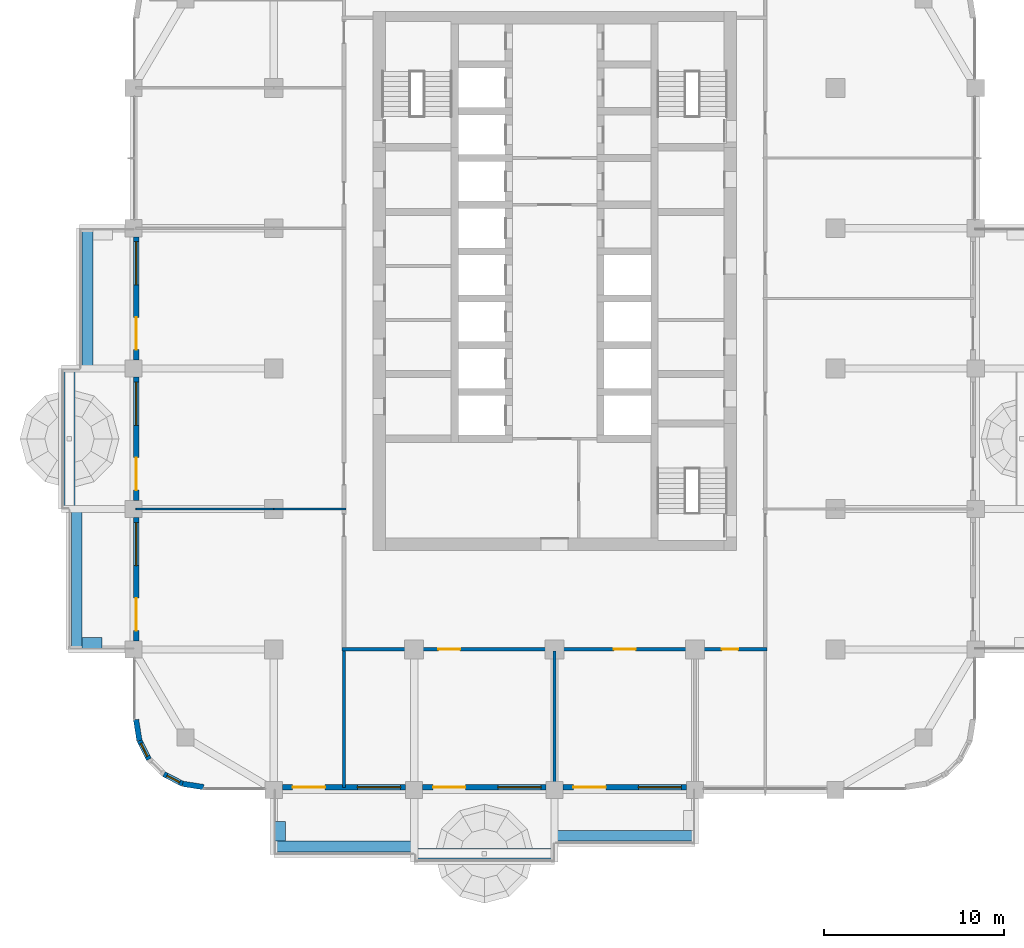
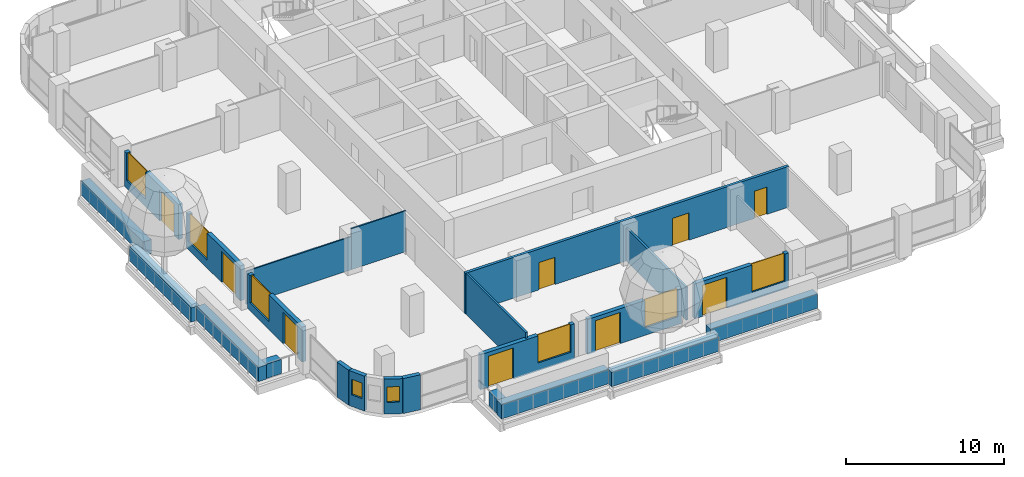
# One storey, part 10 of 21: 23 walls, 9 doors, 8 windows, 17 openings.
"""IFC4 building model written with IfcOpenShell, lengths in metres."""

from ifc_helpers import new_model, si_unit, direction, frame, frame_2d, origin, place, context, subcontext, project, spatial, rectangle, extrude, material, layer, layer_set, type_object, element, fill, save


model = new_model("IFC4")

# Units and contexts
model_context = context("Model", 3, precision=1e-05, world=origin(), true_north=direction((0.0, 1.0)))
body_context = subcontext(model_context, "Body", "Model", "MODEL_VIEW")
ifc_project = project(units=[si_unit("LENGTHUNIT", "METRE"), si_unit("AREAUNIT", "SQUARE_METRE"), si_unit("VOLUMEUNIT", "CUBIC_METRE"), si_unit("PLANEANGLEUNIT", "RADIAN"), si_unit("MASSUNIT", "GRAM", prefix="KILO")], contexts=[model_context])

# Site, building, storey
site_placement = place(None, origin())
site = spatial("IfcSite", under=ifc_project, at=site_placement, CompositionType="ELEMENT")
building_placement = place(site_placement, origin())
building = spatial("IfcBuilding", under=site, at=building_placement, Name="Ludao Terraces", CompositionType="ELEMENT")
storey_placement = place(building_placement, frame((0.0, 0.0, 71.60009765625)))
storey = spatial("IfcBuildingStorey", under=building, at=storey_placement, Name="L19", CompositionType="ELEMENT", Elevation=71.60009765625)

# Walls
ifc_material_1 = material(Name="Concrete C40", Category="concrete")
ifc_layer_1 = layer(ifc_material_1, 0.60009765625)
ifc_layer_set_1 = layer_set([ifc_layer_1], Name="ENV Planter trough 600")
wall_type_1 = type_object("IfcWallType", Name="ENV Planter trough 600", PredefinedType="USERDEFINED", material=ifc_layer_set_1)
wall_1_placement = place(storey_placement, frame((69.39990234375, 38.449951171875, 0.0), z_axis=(0.0, 0.0, 1.0), x_axis=(1.0, 0.0, 0.0)))
element("IfcWall", 1, at=wall_1_placement, inside=storey, type_object=wall_type_1, Name="PL-L19-S1", ObjectType="PLANTER", PredefinedType="USERDEFINED", context=body_context, shape_type="SweptSolid", body=[
    extrude(rectangle(XDim=7.800048828125, YDim=0.60009765625, at=frame_2d((3.89990234375, 0.0))), origin(), (0.0, 0.0, 1.0), 1.099853515625),
])
wall_2_placement = place(storey_placement, frame((69.75, 38.75, 0.0), z_axis=(0.0, 0.0, 1.0), x_axis=(0.0, 1.0, 0.0)))
element("IfcWall", 2, at=wall_2_placement, inside=storey, type_object=wall_type_1, Name="PL-L19-S1-SA", ObjectType="PLANTER", PredefinedType="USERDEFINED", context=body_context, shape_type="SweptSolid", body=[
    extrude(rectangle(XDim=1.10009765625, YDim=0.60009765625, at=frame_2d((0.550048828125, 0.0))), origin(), (0.0, 0.0, 1.0), 1.099853515625),
])
for number, where, z_axis, x_axis, name in (
    (3, (77.199951171875, 38.050048828125, 0.0), (0.0, 0.0, 1.0), (1.0, 0.0, 0.0), "PL-L19-S2"),
    (4, (85.0, 39.050048828125, 0.0), (0.0, 0.0, 1.0), (1.0, 0.0, 0.0), "PL-L19-S3"),
    (5, (58.449951171875, 49.39990234375, 0.0), (0.0, 0.0, 1.0), (0.0, 1.0, 0.0), "PL-L19-W1"),
):
    element("IfcWall", number, at=place(storey_placement, frame(where, z_axis=z_axis, x_axis=x_axis)), inside=storey, type_object=wall_type_1, Name=name, ObjectType="PLANTER", PredefinedType="USERDEFINED", context=body_context, shape_type="SweptSolid", body=[
        extrude(rectangle(XDim=7.800048828125, YDim=0.60009765625, at=frame_2d((3.89990234375, 0.0))), origin(), (0.0, 0.0, 1.0), 1.099853515625),
    ])
wall_3_placement = place(storey_placement, frame((58.75, 49.75, 0.0), z_axis=(0.0, 0.0, 1.0), x_axis=(1.0, 0.0, 0.0)))
element("IfcWall", 6, at=wall_3_placement, inside=storey, type_object=wall_type_1, Name="PL-L19-W1-SA", ObjectType="PLANTER", PredefinedType="USERDEFINED", context=body_context, shape_type="SweptSolid", body=[
    extrude(rectangle(XDim=1.10009765625, YDim=0.60009765625, at=frame_2d((0.550048828125, 0.0))), origin(), (0.0, 0.0, 1.0), 1.099853515625),
])
for number, where, z_axis, x_axis, name in (
    (7, (58.050048828125, 57.199951171875, 0.0), (0.0, 0.0, 1.0), (0.0, 1.0, 0.0), "PL-L19-W2"),
    (8, (59.050048828125, 65.0, 0.0), (0.0, 0.0, 1.0), (0.0, 1.0, 0.0), "PL-L19-W3"),
):
    element("IfcWall", number, at=place(storey_placement, frame(where, z_axis=z_axis, x_axis=x_axis)), inside=storey, type_object=wall_type_1, Name=name, ObjectType="PLANTER", PredefinedType="USERDEFINED", context=body_context, shape_type="SweptSolid", body=[
        extrude(rectangle(XDim=7.800048828125, YDim=0.60009765625, at=frame_2d((3.89990234375, 0.0))), origin(), (0.0, 0.0, 1.0), 1.099853515625),
    ])

# Wall, openings, door, window
ifc_material_2 = material(Name="Granite cladding", Category="masonry")
ifc_layer_2 = layer(ifc_material_2, 0.0400390625, Category="stone")
ifc_material_3 = material(Name="Mineral wool")
ifc_layer_3 = layer(ifc_material_3, 0.06005859375)
ifc_layer_4 = layer(ifc_material_1, 0.199951171875, Category="concrete")
ifc_layer_set_2 = layer_set([ifc_layer_2, ifc_layer_3, ifc_layer_4], Name="ENV Stone-clad wall 300")
wall_type_2 = type_object("IfcWallType", Name="ENV Stone-clad wall 300", PredefinedType="SOLIDWALL", material=ifc_layer_set_2)
wall_4_placement = place(storey_placement, frame((69.875, 41.75, 0.0), z_axis=(0.0, 0.0, 1.0), x_axis=(1.0, 0.0, 0.0)))
wall_4 = element("IfcWall", 9, at=wall_4_placement, inside=storey, type_object=wall_type_2, Name="EW-L19-S2", PredefinedType="SOLIDWALL", context=body_context, shape_type="SweptSolid", body=[
    extrude(rectangle(XDim=6.85009765625, YDim=0.300048828125, at=frame_2d((3.425048828125, 0.0))), origin(), (0.0, 0.0, 1.0), 2.699951171875),
])
opening_1_placement = place(wall_4_placement, frame((0.574951171875, 0.0, 0.0)))
opening_1 = element("IfcOpeningElement", 10, at=opening_1_placement, cuts=wall_4, Name="Opening BD", PredefinedType="OPENING", context=body_context, shape_type="SweptSolid", body=[
    extrude(rectangle(XDim=1.800048828125, YDim=2.39990234375, at=frame_2d((0.89990234375, 1.199951171875))), frame((0.0, 0.16015625, 0.0), z_axis=(0.0, -1.0, 0.0), x_axis=(1.0, 0.0, 0.0)), (0.0, 0.0, 1.0), 0.320068359375),
])
opening_2_placement = place(wall_4_placement, frame((4.175048828125, 0.0, 0.60009765625)))
opening_2 = element("IfcOpeningElement", 11, at=opening_2_placement, cuts=wall_4, Name="Opening W4", PredefinedType="OPENING", context=body_context, shape_type="SweptSolid", body=[
    extrude(rectangle(XDim=2.39990234375, YDim=2.10009765625, at=frame_2d((1.199951171875, 1.050048828125))), frame((0.0, 0.16015625, 0.0), z_axis=(0.0, -1.0, 0.0), x_axis=(1.0, 0.0, 0.0)), (0.0, 0.0, 1.0), 0.320068359375),
])
ifc_material_4 = material(Name="Aluminium glazed door", Category="aluminium")
ifc_layer_5 = layer(ifc_material_4, 0.06005859375)
ifc_layer_set_3 = layer_set([ifc_layer_5], Name="ENV Balcony door BD 1800x2400")
door_type_1 = type_object("IfcDoorType", Name="ENV Balcony door BD 1800x2400", OperationType="DOUBLE_DOOR_SINGLE_SWING", PredefinedType="DOOR", material=ifc_layer_set_3)
door_1_placement = place(opening_1_placement, origin())
door_1 = element("IfcDoor", 12, at=door_1_placement, inside=storey, type_object=door_type_1, Name="BD-L19-S2-1", OperationType="DOUBLE_DOOR_SINGLE_SWING", OverallHeight=2.39990234375, OverallWidth=1.800048828125, PredefinedType="DOOR", context=body_context, shape_type="SweptSolid", body=[
    extrude(rectangle(XDim=1.800048828125, YDim=2.39990234375, at=frame_2d((0.89990234375, 1.199951171875))), frame((0.0, 0.02490234375, 0.0), z_axis=(0.0, -1.0, 0.0), x_axis=(1.0, 0.0, 0.0)), (0.0, 0.0, 1.0), 0.050048828125),
])
fill(opening_1, door_1)
ifc_material_5 = material(Name="Clear glass in aluminium frame", Category="aluminium")
ifc_layer_6 = layer(ifc_material_5, 0.06005859375)
ifc_layer_set_4 = layer_set([ifc_layer_6], Name="ENV Window W4 2400x2100")
window_type_1 = type_object("IfcWindowType", Name="ENV Window W4 2400x2100", PartitioningType="SINGLE_PANEL", PredefinedType="WINDOW", material=ifc_layer_set_4)
window_1_placement = place(opening_2_placement, origin())
window_1 = element("IfcWindow", 13, at=window_1_placement, inside=storey, type_object=window_type_1, Name="W-L19-S2-2", OverallHeight=2.10009765625, OverallWidth=2.39990234375, PartitioningType="SINGLE_PANEL", PredefinedType="WINDOW", context=body_context, shape_type="SweptSolid", body=[
    extrude(rectangle(XDim=2.39990234375, YDim=2.10009765625, at=frame_2d((1.199951171875, 1.050048828125))), frame((0.0, 0.030029296875, 0.0), z_axis=(0.0, -1.0, 0.0), x_axis=(1.0, 0.0, 0.0)), (0.0, 0.0, 1.0), 0.06005859375),
])
fill(opening_2, window_1)

wall_5_placement = place(storey_placement, frame((77.675048828125, 41.75, 0.0), z_axis=(0.0, 0.0, 1.0), x_axis=(1.0, 0.0, 0.0)))
wall_5 = element("IfcWall", 14, at=wall_5_placement, inside=storey, type_object=wall_type_2, Name="EW-L19-S3", PredefinedType="SOLIDWALL", context=body_context, shape_type="SweptSolid", body=[
    extrude(rectangle(XDim=6.849853515625, YDim=0.300048828125, at=frame_2d((3.4248046875, 0.0))), origin(), (0.0, 0.0, 1.0), 2.699951171875),
])
opening_3_placement = place(wall_5_placement, frame((0.574951171875, 0.0, 0.0)))
opening_3 = element("IfcOpeningElement", 15, at=opening_3_placement, cuts=wall_5, Name="Opening BD", PredefinedType="OPENING", context=body_context, shape_type="SweptSolid", body=[
    extrude(rectangle(XDim=1.800048828125, YDim=2.39990234375, at=frame_2d((0.89990234375, 1.199951171875))), frame((0.0, 0.16015625, 0.0), z_axis=(0.0, -1.0, 0.0), x_axis=(1.0, 0.0, 0.0)), (0.0, 0.0, 1.0), 0.320068359375),
])
opening_4_placement = place(wall_5_placement, frame((4.175048828125, 0.0, 0.60009765625)))
opening_4 = element("IfcOpeningElement", 16, at=opening_4_placement, cuts=wall_5, Name="Opening W4", PredefinedType="OPENING", context=body_context, shape_type="SweptSolid", body=[
    extrude(rectangle(XDim=2.39990234375, YDim=2.10009765625, at=frame_2d((1.199951171875, 1.050048828125))), frame((0.0, 0.16015625, 0.0), z_axis=(0.0, -1.0, 0.0), x_axis=(1.0, 0.0, 0.0)), (0.0, 0.0, 1.0), 0.320068359375),
])
door_2_placement = place(opening_3_placement, origin())
door_2 = element("IfcDoor", 17, at=door_2_placement, inside=storey, type_object=door_type_1, Name="BD-L19-S3-1", OperationType="DOUBLE_DOOR_SINGLE_SWING", OverallHeight=2.39990234375, OverallWidth=1.800048828125, PredefinedType="DOOR", context=body_context, shape_type="SweptSolid", body=[
    extrude(rectangle(XDim=1.800048828125, YDim=2.39990234375, at=frame_2d((0.89990234375, 1.199951171875))), frame((0.0, 0.02490234375, 0.0), z_axis=(0.0, -1.0, 0.0), x_axis=(1.0, 0.0, 0.0)), (0.0, 0.0, 1.0), 0.050048828125),
])
fill(opening_3, door_2)
window_2_placement = place(opening_4_placement, origin())
window_2 = element("IfcWindow", 18, at=window_2_placement, inside=storey, type_object=window_type_1, Name="W-L19-S3-2", OverallHeight=2.10009765625, OverallWidth=2.39990234375, PartitioningType="SINGLE_PANEL", PredefinedType="WINDOW", context=body_context, shape_type="SweptSolid", body=[
    extrude(rectangle(XDim=2.39990234375, YDim=2.10009765625, at=frame_2d((1.199951171875, 1.050048828125))), frame((0.0, 0.030029296875, 0.0), z_axis=(0.0, -1.0, 0.0), x_axis=(1.0, 0.0, 0.0)), (0.0, 0.0, 1.0), 0.06005859375),
])
fill(opening_4, window_2)

wall_6_placement = place(storey_placement, frame((85.47509765625, 41.75, 0.0), z_axis=(0.0, 0.0, 1.0), x_axis=(1.0, 0.0, 0.0)))
wall_6 = element("IfcWall", 19, at=wall_6_placement, inside=storey, type_object=wall_type_2, Name="EW-L19-S4", PredefinedType="SOLIDWALL", context=body_context, shape_type="SweptSolid", body=[
    extrude(rectangle(XDim=6.849853515625, YDim=0.300048828125, at=frame_2d((3.4248046875, 0.0))), origin(), (0.0, 0.0, 1.0), 2.699951171875),
])
opening_5_placement = place(wall_6_placement, frame((0.574951171875, 0.0, 0.0)))
opening_5 = element("IfcOpeningElement", 20, at=opening_5_placement, cuts=wall_6, Name="Opening BD", PredefinedType="OPENING", context=body_context, shape_type="SweptSolid", body=[
    extrude(rectangle(XDim=1.800048828125, YDim=2.39990234375, at=frame_2d((0.89990234375, 1.199951171875))), frame((0.0, 0.16015625, 0.0), z_axis=(0.0, -1.0, 0.0), x_axis=(1.0, 0.0, 0.0)), (0.0, 0.0, 1.0), 0.320068359375),
])
opening_6_placement = place(wall_6_placement, frame((4.175048828125, 0.0, 0.60009765625)))
opening_6 = element("IfcOpeningElement", 21, at=opening_6_placement, cuts=wall_6, Name="Opening W4", PredefinedType="OPENING", context=body_context, shape_type="SweptSolid", body=[
    extrude(rectangle(XDim=2.39990234375, YDim=2.10009765625, at=frame_2d((1.199951171875, 1.050048828125))), frame((0.0, 0.16015625, 0.0), z_axis=(0.0, -1.0, 0.0), x_axis=(1.0, 0.0, 0.0)), (0.0, 0.0, 1.0), 0.320068359375),
])
door_3_placement = place(opening_5_placement, origin())
door_3 = element("IfcDoor", 22, at=door_3_placement, inside=storey, type_object=door_type_1, Name="BD-L19-S4-1", OperationType="DOUBLE_DOOR_SINGLE_SWING", OverallHeight=2.39990234375, OverallWidth=1.800048828125, PredefinedType="DOOR", context=body_context, shape_type="SweptSolid", body=[
    extrude(rectangle(XDim=1.800048828125, YDim=2.39990234375, at=frame_2d((0.89990234375, 1.199951171875))), frame((0.0, 0.02490234375, 0.0), z_axis=(0.0, -1.0, 0.0), x_axis=(1.0, 0.0, 0.0)), (0.0, 0.0, 1.0), 0.050048828125),
])
fill(opening_5, door_3)
window_3_placement = place(opening_6_placement, origin())
window_3 = element("IfcWindow", 23, at=window_3_placement, inside=storey, type_object=window_type_1, Name="W-L19-S4-2", OverallHeight=2.10009765625, OverallWidth=2.39990234375, PartitioningType="SINGLE_PANEL", PredefinedType="WINDOW", context=body_context, shape_type="SweptSolid", body=[
    extrude(rectangle(XDim=2.39990234375, YDim=2.10009765625, at=frame_2d((1.199951171875, 1.050048828125))), frame((0.0, 0.030029296875, 0.0), z_axis=(0.0, -1.0, 0.0), x_axis=(1.0, 0.0, 0.0)), (0.0, 0.0, 1.0), 0.06005859375),
])
fill(opening_6, window_3)

wall_7_placement = place(storey_placement, frame((61.75, 49.875, 0.0), z_axis=(0.0, 0.0, 1.0), x_axis=(0.0, 1.0, 0.0)))
wall_7 = element("IfcWall", 24, at=wall_7_placement, inside=storey, type_object=wall_type_2, Name="EW-L19-W2", PredefinedType="SOLIDWALL", context=body_context, shape_type="SweptSolid", body=[
    extrude(rectangle(XDim=6.85009765625, YDim=0.300048828125, at=frame_2d((3.425048828125, 0.0))), origin(), (0.0, 0.0, 1.0), 2.699951171875),
])
opening_7_placement = place(wall_7_placement, frame((0.574951171875, 0.0, 0.0)))
opening_7 = element("IfcOpeningElement", 25, at=opening_7_placement, cuts=wall_7, Name="Opening BD", PredefinedType="OPENING", context=body_context, shape_type="SweptSolid", body=[
    extrude(rectangle(XDim=1.800048828125, YDim=2.39990234375, at=frame_2d((0.89990234375, 1.199951171875))), frame((0.0, 0.16015625, 0.0), z_axis=(0.0, -1.0, 0.0), x_axis=(1.0, 0.0, 0.0)), (0.0, 0.0, 1.0), 0.320068359375),
])
opening_8_placement = place(wall_7_placement, frame((4.175048828125, 0.0, 0.60009765625)))
opening_8 = element("IfcOpeningElement", 26, at=opening_8_placement, cuts=wall_7, Name="Opening W4", PredefinedType="OPENING", context=body_context, shape_type="SweptSolid", body=[
    extrude(rectangle(XDim=2.39990234375, YDim=2.10009765625, at=frame_2d((1.199951171875, 1.050048828125))), frame((0.0, 0.16015625, 0.0), z_axis=(0.0, -1.0, 0.0), x_axis=(1.0, 0.0, 0.0)), (0.0, 0.0, 1.0), 0.320068359375),
])
door_4_placement = place(opening_7_placement, origin())
door_4 = element("IfcDoor", 27, at=door_4_placement, inside=storey, type_object=door_type_1, Name="BD-L19-W2-1", OperationType="DOUBLE_DOOR_SINGLE_SWING", OverallHeight=2.39990234375, OverallWidth=1.800048828125, PredefinedType="DOOR", context=body_context, shape_type="SweptSolid", body=[
    extrude(rectangle(XDim=1.800048828125, YDim=2.39990234375, at=frame_2d((0.89990234375, 1.199951171875))), frame((0.0, 0.02490234375, 0.0), z_axis=(0.0, -1.0, 0.0), x_axis=(1.0, 0.0, 0.0)), (0.0, 0.0, 1.0), 0.050048828125),
])
fill(opening_7, door_4)
window_4_placement = place(opening_8_placement, origin())
window_4 = element("IfcWindow", 28, at=window_4_placement, inside=storey, type_object=window_type_1, Name="W-L19-W2-2", OverallHeight=2.10009765625, OverallWidth=2.39990234375, PartitioningType="SINGLE_PANEL", PredefinedType="WINDOW", context=body_context, shape_type="SweptSolid", body=[
    extrude(rectangle(XDim=2.39990234375, YDim=2.10009765625, at=frame_2d((1.199951171875, 1.050048828125))), frame((0.0, 0.030029296875, 0.0), z_axis=(0.0, -1.0, 0.0), x_axis=(1.0, 0.0, 0.0)), (0.0, 0.0, 1.0), 0.06005859375),
])
fill(opening_8, window_4)

wall_8_placement = place(storey_placement, frame((61.75, 57.675048828125, 0.0), z_axis=(0.0, 0.0, 1.0), x_axis=(0.0, 1.0, 0.0)))
wall_8 = element("IfcWall", 29, at=wall_8_placement, inside=storey, type_object=wall_type_2, Name="EW-L19-W3", PredefinedType="SOLIDWALL", context=body_context, shape_type="SweptSolid", body=[
    extrude(rectangle(XDim=6.849853515625, YDim=0.300048828125, at=frame_2d((3.4248046875, 0.0))), origin(), (0.0, 0.0, 1.0), 2.699951171875),
])
opening_9_placement = place(wall_8_placement, frame((0.574951171875, 0.0, 0.0)))
opening_9 = element("IfcOpeningElement", 30, at=opening_9_placement, cuts=wall_8, Name="Opening BD", PredefinedType="OPENING", context=body_context, shape_type="SweptSolid", body=[
    extrude(rectangle(XDim=1.800048828125, YDim=2.39990234375, at=frame_2d((0.89990234375, 1.199951171875))), frame((0.0, 0.16015625, 0.0), z_axis=(0.0, -1.0, 0.0), x_axis=(1.0, 0.0, 0.0)), (0.0, 0.0, 1.0), 0.320068359375),
])
opening_10_placement = place(wall_8_placement, frame((4.175048828125, 0.0, 0.60009765625)))
opening_10 = element("IfcOpeningElement", 31, at=opening_10_placement, cuts=wall_8, Name="Opening W4", PredefinedType="OPENING", context=body_context, shape_type="SweptSolid", body=[
    extrude(rectangle(XDim=2.39990234375, YDim=2.10009765625, at=frame_2d((1.199951171875, 1.050048828125))), frame((0.0, 0.16015625, 0.0), z_axis=(0.0, -1.0, 0.0), x_axis=(1.0, 0.0, 0.0)), (0.0, 0.0, 1.0), 0.320068359375),
])
door_5_placement = place(opening_9_placement, origin())
door_5 = element("IfcDoor", 32, at=door_5_placement, inside=storey, type_object=door_type_1, Name="BD-L19-W3-1", OperationType="DOUBLE_DOOR_SINGLE_SWING", OverallHeight=2.39990234375, OverallWidth=1.800048828125, PredefinedType="DOOR", context=body_context, shape_type="SweptSolid", body=[
    extrude(rectangle(XDim=1.800048828125, YDim=2.39990234375, at=frame_2d((0.89990234375, 1.199951171875))), frame((0.0, 0.02490234375, 0.0), z_axis=(0.0, -1.0, 0.0), x_axis=(1.0, 0.0, 0.0)), (0.0, 0.0, 1.0), 0.050048828125),
])
fill(opening_9, door_5)
window_5_placement = place(opening_10_placement, origin())
window_5 = element("IfcWindow", 33, at=window_5_placement, inside=storey, type_object=window_type_1, Name="W-L19-W3-2", OverallHeight=2.10009765625, OverallWidth=2.39990234375, PartitioningType="SINGLE_PANEL", PredefinedType="WINDOW", context=body_context, shape_type="SweptSolid", body=[
    extrude(rectangle(XDim=2.39990234375, YDim=2.10009765625, at=frame_2d((1.199951171875, 1.050048828125))), frame((0.0, 0.030029296875, 0.0), z_axis=(0.0, -1.0, 0.0), x_axis=(1.0, 0.0, 0.0)), (0.0, 0.0, 1.0), 0.06005859375),
])
fill(opening_10, window_5)

wall_9_placement = place(storey_placement, frame((61.75, 65.47509765625, 0.0), z_axis=(0.0, 0.0, 1.0), x_axis=(0.0, 1.0, 0.0)))
wall_9 = element("IfcWall", 34, at=wall_9_placement, inside=storey, type_object=wall_type_2, Name="EW-L19-W4", PredefinedType="SOLIDWALL", context=body_context, shape_type="SweptSolid", body=[
    extrude(rectangle(XDim=6.849853515625, YDim=0.300048828125, at=frame_2d((3.4248046875, 0.0))), origin(), (0.0, 0.0, 1.0), 2.699951171875),
])
opening_11_placement = place(wall_9_placement, frame((0.574951171875, 0.0, 0.0)))
opening_11 = element("IfcOpeningElement", 35, at=opening_11_placement, cuts=wall_9, Name="Opening BD", PredefinedType="OPENING", context=body_context, shape_type="SweptSolid", body=[
    extrude(rectangle(XDim=1.800048828125, YDim=2.39990234375, at=frame_2d((0.89990234375, 1.199951171875))), frame((0.0, 0.16015625, 0.0), z_axis=(0.0, -1.0, 0.0), x_axis=(1.0, 0.0, 0.0)), (0.0, 0.0, 1.0), 0.320068359375),
])
opening_12_placement = place(wall_9_placement, frame((4.175048828125, 0.0, 0.60009765625)))
opening_12 = element("IfcOpeningElement", 36, at=opening_12_placement, cuts=wall_9, Name="Opening W4", PredefinedType="OPENING", context=body_context, shape_type="SweptSolid", body=[
    extrude(rectangle(XDim=2.39990234375, YDim=2.10009765625, at=frame_2d((1.199951171875, 1.050048828125))), frame((0.0, 0.16015625, 0.0), z_axis=(0.0, -1.0, 0.0), x_axis=(1.0, 0.0, 0.0)), (0.0, 0.0, 1.0), 0.320068359375),
])
door_6_placement = place(opening_11_placement, origin())
door_6 = element("IfcDoor", 37, at=door_6_placement, inside=storey, type_object=door_type_1, Name="BD-L19-W4-1", OperationType="DOUBLE_DOOR_SINGLE_SWING", OverallHeight=2.39990234375, OverallWidth=1.800048828125, PredefinedType="DOOR", context=body_context, shape_type="SweptSolid", body=[
    extrude(rectangle(XDim=1.800048828125, YDim=2.39990234375, at=frame_2d((0.89990234375, 1.199951171875))), frame((0.0, 0.02490234375, 0.0), z_axis=(0.0, -1.0, 0.0), x_axis=(1.0, 0.0, 0.0)), (0.0, 0.0, 1.0), 0.050048828125),
])
fill(opening_11, door_6)
window_6_placement = place(opening_12_placement, origin())
window_6 = element("IfcWindow", 38, at=window_6_placement, inside=storey, type_object=window_type_1, Name="W-L19-W4-2", OverallHeight=2.10009765625, OverallWidth=2.39990234375, PartitioningType="SINGLE_PANEL", PredefinedType="WINDOW", context=body_context, shape_type="SweptSolid", body=[
    extrude(rectangle(XDim=2.39990234375, YDim=2.10009765625, at=frame_2d((1.199951171875, 1.050048828125))), frame((0.0, 0.030029296875, 0.0), z_axis=(0.0, -1.0, 0.0), x_axis=(1.0, 0.0, 0.0)), (0.0, 0.0, 1.0), 0.06005859375),
])
fill(opening_12, window_6)

# Wall
wall_10_placement = place(storey_placement, frame((61.75, 45.5, 0.0), z_axis=(0.0, 0.0, 1.0), x_axis=(0.156496880861, -0.987678452879, 0.0)))
element("IfcWall", 39, at=wall_10_placement, inside=storey, type_object=wall_type_2, Name="EW-L19-SW1", PredefinedType="SOLIDWALL", context=body_context, shape_type="SweptSolid", body=[
    extrude(rectangle(XDim=1.173095703125, YDim=0.300048828125, at=frame_2d((0.58642578125, 0.0))), origin(), (0.0, 0.0, 1.0), 2.699951171875),
])

# Wall, opening, window
wall_11_placement = place(storey_placement, frame((61.93359375, 44.34130859375, 0.0), z_axis=(0.0, 0.0, 1.0), x_axis=(0.454025524128, -0.890988677504, 0.0)))
wall_11 = element("IfcWall", 40, at=wall_11_placement, inside=storey, type_object=wall_type_2, Name="EW-L19-SW2", PredefinedType="SOLIDWALL", context=body_context, shape_type="SweptSolid", body=[
    extrude(rectangle(XDim=1.17333984375, YDim=0.300048828125, at=frame_2d((0.586669921875, 0.0))), origin(), (0.0, 0.0, 1.0), 2.699951171875),
])
opening_13_placement = place(wall_11_placement, frame((0.1865234375, 0.0, 0.89990234375)))
opening_13 = element("IfcOpeningElement", 41, at=opening_13_placement, cuts=wall_11, Name="Opening W3", PredefinedType="OPENING", context=body_context, shape_type="SweptSolid", body=[
    extrude(rectangle(XDim=0.800048828125, YDim=1.199951171875, at=frame_2d((0.39990234375, 0.60009765625))), frame((0.0, 0.16015625, 0.0), z_axis=(0.0, -1.0, 0.0), x_axis=(1.0, 0.0, 0.0)), (0.0, 0.0, 1.0), 0.320068359375),
])
ifc_layer_7 = layer(ifc_material_5, 0.06005859375)
ifc_layer_set_5 = layer_set([ifc_layer_7], Name="ENV Window W3 800x1200")
window_type_2 = type_object("IfcWindowType", Name="ENV Window W3 800x1200", PartitioningType="SINGLE_PANEL", PredefinedType="WINDOW", material=ifc_layer_set_5)
window_7_placement = place(opening_13_placement, origin())
window_7 = element("IfcWindow", 42, at=window_7_placement, inside=storey, type_object=window_type_2, Name="W-L19-SW2", OverallHeight=1.199951171875, OverallWidth=0.800048828125, PartitioningType="SINGLE_PANEL", PredefinedType="WINDOW", context=body_context, shape_type="SweptSolid", body=[
    extrude(rectangle(XDim=0.800048828125, YDim=1.199951171875, at=frame_2d((0.39990234375, 0.60009765625))), frame((0.0, 0.030029296875, 0.0), z_axis=(0.0, -1.0, 0.0), x_axis=(1.0, 0.0, 0.0)), (0.0, 0.0, 1.0), 0.06005859375),
])
fill(opening_13, window_7)

wall_12_placement = place(storey_placement, frame((63.2958984375, 42.46630859375, 0.0), z_axis=(0.0, 0.0, 1.0), x_axis=(0.890988677504, -0.454025524128, 0.0)))
wall_12 = element("IfcWall", 43, at=wall_12_placement, inside=storey, type_object=wall_type_2, Name="EW-L19-SW4", PredefinedType="SOLIDWALL", context=body_context, shape_type="SweptSolid", body=[
    extrude(rectangle(XDim=1.17333984375, YDim=0.300048828125, at=frame_2d((0.586669921875, 0.0))), origin(), (0.0, 0.0, 1.0), 2.699951171875),
])
opening_14_placement = place(wall_12_placement, frame((0.1865234375, 0.0, 0.89990234375)))
opening_14 = element("IfcOpeningElement", 44, at=opening_14_placement, cuts=wall_12, Name="Opening W3", PredefinedType="OPENING", context=body_context, shape_type="SweptSolid", body=[
    extrude(rectangle(XDim=0.800048828125, YDim=1.199951171875, at=frame_2d((0.39990234375, 0.60009765625))), frame((0.0, 0.16015625, 0.0), z_axis=(0.0, -1.0, 0.0), x_axis=(1.0, 0.0, 0.0)), (0.0, 0.0, 1.0), 0.320068359375),
])
window_8_placement = place(opening_14_placement, origin())
window_8 = element("IfcWindow", 45, at=window_8_placement, inside=storey, type_object=window_type_2, Name="W-L19-SW4", OverallHeight=1.199951171875, OverallWidth=0.800048828125, PartitioningType="SINGLE_PANEL", PredefinedType="WINDOW", context=body_context, shape_type="SweptSolid", body=[
    extrude(rectangle(XDim=0.800048828125, YDim=1.199951171875, at=frame_2d((0.39990234375, 0.60009765625))), frame((0.0, 0.030029296875, 0.0), z_axis=(0.0, -1.0, 0.0), x_axis=(1.0, 0.0, 0.0)), (0.0, 0.0, 1.0), 0.06005859375),
])
fill(opening_14, window_8)

# Wall
wall_13_placement = place(storey_placement, frame((64.34130859375, 41.93359375, 0.0), z_axis=(0.0, 0.0, 1.0), x_axis=(0.987678452879, -0.156496880861, 0.0)))
element("IfcWall", 46, at=wall_13_placement, inside=storey, type_object=wall_type_2, Name="EW-L19-SW5", PredefinedType="SOLIDWALL", context=body_context, shape_type="SweptSolid", body=[
    extrude(rectangle(XDim=1.173095703125, YDim=0.300048828125, at=frame_2d((0.58642578125, 0.0))), origin(), (0.0, 0.0, 1.0), 2.699951171875),
])

# Wall, openings, doors
ifc_material_6 = material(Name="Autoclaved aerated concrete block B06 A3.5", Category="concrete")
ifc_layer_8 = layer(ifc_material_6, 0.199951171875)
ifc_layer_set_6 = layer_set([ifc_layer_8], Name="INT Entrance wall 200")
wall_type_3 = type_object("IfcWallType", Name="INT Entrance wall 200", PredefinedType="PARTITIONING", material=ifc_layer_set_6)
wall_14_placement = place(storey_placement, frame((73.2001953125, 49.39990234375, 0.0), z_axis=(0.0, 0.0, 1.0), x_axis=(1.0, 0.0, 0.0)))
wall_14 = element("IfcWall", 47, at=wall_14_placement, inside=storey, type_object=wall_type_3, Name="PW-L19-PW000", PredefinedType="PARTITIONING", context=body_context, shape_type="SweptSolid", body=[
    extrude(rectangle(XDim=23.599853515625, YDim=0.199951171875, at=frame_2d((11.7998046875, 0.0))), origin(), (0.0, 0.0, 1.0), 3.14990234375),
])
opening_15_placement = place(wall_14_placement, frame((5.349853515625, 0.0, 0.0)))
opening_15 = element("IfcOpeningElement", 48, at=opening_15_placement, cuts=wall_14, Name="Opening C1-001", PredefinedType="OPENING", context=body_context, shape_type="SweptSolid", body=[
    extrude(rectangle(XDim=1.199951171875, YDim=2.10009765625, at=frame_2d((0.60009765625, 1.050048828125))), frame((0.0, 0.10986328125, 0.0), z_axis=(0.0, -1.0, 0.0), x_axis=(1.0, 0.0, 0.0)), (0.0, 0.0, 1.0), 0.219970703125),
])
opening_16_placement = place(wall_14_placement, frame((15.099853515625, 0.0, 0.0)))
opening_16 = element("IfcOpeningElement", 49, at=opening_16_placement, cuts=wall_14, Name="Opening C1-002", PredefinedType="OPENING", context=body_context, shape_type="SweptSolid", body=[
    extrude(rectangle(XDim=1.199951171875, YDim=2.10009765625, at=frame_2d((0.60009765625, 1.050048828125))), frame((0.0, 0.10986328125, 0.0), z_axis=(0.0, -1.0, 0.0), x_axis=(1.0, 0.0, 0.0)), (0.0, 0.0, 1.0), 0.219970703125),
])
opening_17_placement = place(wall_14_placement, frame((21.099853515625, 0.0, 0.0)))
opening_17 = element("IfcOpeningElement", 50, at=opening_17_placement, cuts=wall_14, Name="Opening C1-003", PredefinedType="OPENING", context=body_context, shape_type="SweptSolid", body=[
    extrude(rectangle(XDim=0.89990234375, YDim=2.10009765625, at=frame_2d((0.449951171875, 1.050048828125))), frame((0.0, 0.10986328125, 0.0), z_axis=(0.0, -1.0, 0.0), x_axis=(1.0, 0.0, 0.0)), (0.0, 0.0, 1.0), 0.219970703125),
])
ifc_material_7 = material(Name="Timber door leaf", Category="wood")
door_type_2 = type_object("IfcDoorType", Name="INT Double door 1200", OperationType="DOUBLE_DOOR_SINGLE_SWING", PredefinedType="DOOR", material=ifc_material_7)
door_7_placement = place(opening_15_placement, origin())
door_7 = element("IfcDoor", 51, at=door_7_placement, inside=storey, type_object=door_type_2, Name="DOOR 001", OperationType="DOUBLE_DOOR_SINGLE_SWING", OverallHeight=2.10009765625, OverallWidth=1.199951171875, PredefinedType="DOOR", context=body_context, shape_type="SweptSolid", body=[
    extrude(rectangle(XDim=1.199951171875, YDim=2.10009765625, at=frame_2d((0.60009765625, 1.050048828125))), frame((0.0, 0.02490234375, 0.0), z_axis=(0.0, -1.0, 0.0), x_axis=(1.0, 0.0, 0.0)), (0.0, 0.0, 1.0), 0.050048828125),
])
fill(opening_15, door_7)
door_8_placement = place(opening_16_placement, origin())
door_8 = element("IfcDoor", 52, at=door_8_placement, inside=storey, type_object=door_type_2, Name="DOOR 002", OperationType="DOUBLE_DOOR_SINGLE_SWING", OverallHeight=2.10009765625, OverallWidth=1.199951171875, PredefinedType="DOOR", context=body_context, shape_type="SweptSolid", body=[
    extrude(rectangle(XDim=1.199951171875, YDim=2.10009765625, at=frame_2d((0.60009765625, 1.050048828125))), frame((0.0, 0.02490234375, 0.0), z_axis=(0.0, -1.0, 0.0), x_axis=(1.0, 0.0, 0.0)), (0.0, 0.0, 1.0), 0.050048828125),
])
fill(opening_16, door_8)
door_type_3 = type_object("IfcDoorType", Name="INT Room door 900", OperationType="SINGLE_SWING_LEFT", PredefinedType="DOOR", material=ifc_material_7)
door_9_placement = place(opening_17_placement, origin())
door_9 = element("IfcDoor", 53, at=door_9_placement, inside=storey, type_object=door_type_3, Name="DOOR 003", OperationType="SINGLE_SWING_LEFT", OverallHeight=2.10009765625, OverallWidth=0.89990234375, PredefinedType="DOOR", context=body_context, shape_type="SweptSolid", body=[
    extrude(rectangle(XDim=0.89990234375, YDim=2.10009765625, at=frame_2d((0.449951171875, 1.050048828125))), frame((0.0, 0.02490234375, 0.0), z_axis=(0.0, -1.0, 0.0), x_axis=(1.0, 0.0, 0.0)), (0.0, 0.0, 1.0), 0.050048828125),
])
fill(opening_17, door_9)

# Walls
ifc_material_8 = material(Name="Gypsum plasterboard", Category="gypsum")
ifc_layer_9 = layer(ifc_material_8, 0.012451171875, Category="gypsum")
ifc_layer_10 = layer(ifc_material_3, 0.06005859375, Name="insulation")
ifc_material_9 = material(Name="Steel Q235", Category="steel")
ifc_layer_11 = layer(ifc_material_9, 0.014892578125, Name="stud")
ifc_layer_12 = layer(ifc_material_8, 0.012451171875, Category="gypsum")
ifc_layer_set_7 = layer_set([ifc_layer_9, ifc_layer_10, ifc_layer_11, ifc_layer_12], Name="INT Partition 100")
wall_type_4 = type_object("IfcWallType", Name="INT Partition 100", PredefinedType="PARTITIONING", material=ifc_layer_set_7)
wall_15_placement = place(storey_placement, frame((61.735107421875, 57.199951171875, 0.0), z_axis=(0.0, 0.0, 1.0), x_axis=(1.0, 0.0, 0.0)))
element("IfcWall", 54, at=wall_15_placement, inside=storey, type_object=wall_type_4, Name="PW-L19-PW001", PredefinedType="PARTITIONING", context=body_context, shape_type="SweptSolid", body=[
    extrude(rectangle(XDim=7.664794921875, YDim=0.10009765625, at=frame_2d((3.83251953125, 0.0))), origin(), (0.0, 0.0, 1.0), 2.5498046875),
])
wall_16_placement = place(storey_placement, frame((69.39990234375, 57.199951171875, 0.0), z_axis=(0.0, 0.0, 1.0), x_axis=(1.0, 0.0, 0.0)))
element("IfcWall", 55, at=wall_16_placement, inside=storey, type_object=wall_type_4, Name="PW-L19-PW001-2", PredefinedType="PARTITIONING", context=body_context, shape_type="SweptSolid", body=[
    extrude(rectangle(XDim=4.000244140625, YDim=0.10009765625, at=frame_2d((2.0, 0.0))), origin(), (0.0, 0.0, 1.0), 3.14990234375),
])
ifc_layer_13 = layer(ifc_material_6, 0.14990234375)
ifc_layer_set_8 = layer_set([ifc_layer_13], Name="INT Party wall 150")
wall_type_5 = type_object("IfcWallType", Name="INT Party wall 150", PredefinedType="PARTITIONING", material=ifc_layer_set_8)
wall_17_placement = place(storey_placement, frame((73.300048828125, 41.735107421875, 0.0), z_axis=(0.0, 0.0, 1.0), x_axis=(0.0, 1.0, 0.0)))
element("IfcWall", 56, at=wall_17_placement, inside=storey, type_object=wall_type_5, Name="PW-L19-PW016", PredefinedType="PARTITIONING", context=body_context, shape_type="SweptSolid", body=[
    extrude(rectangle(XDim=7.56494140625, YDim=0.14990234375, at=frame_2d((3.782470703125, 0.0))), origin(), (0.0, 0.0, 1.0), 3.14990234375),
])
wall_18_placement = place(storey_placement, frame((85.0, 41.735107421875, 0.0), z_axis=(0.0, 0.0, 1.0), x_axis=(0.0, 1.0, 0.0)))
element("IfcWall", 57, at=wall_18_placement, inside=storey, type_object=wall_type_5, Name="PW-L19-PW019", PredefinedType="PARTITIONING", context=body_context, shape_type="SweptSolid", body=[
    extrude(rectangle(XDim=7.56494140625, YDim=0.14990234375, at=frame_2d((3.782470703125, 0.0))), origin(), (0.0, 0.0, 1.0), 2.5498046875),
])

save(model, "model.ifc")
